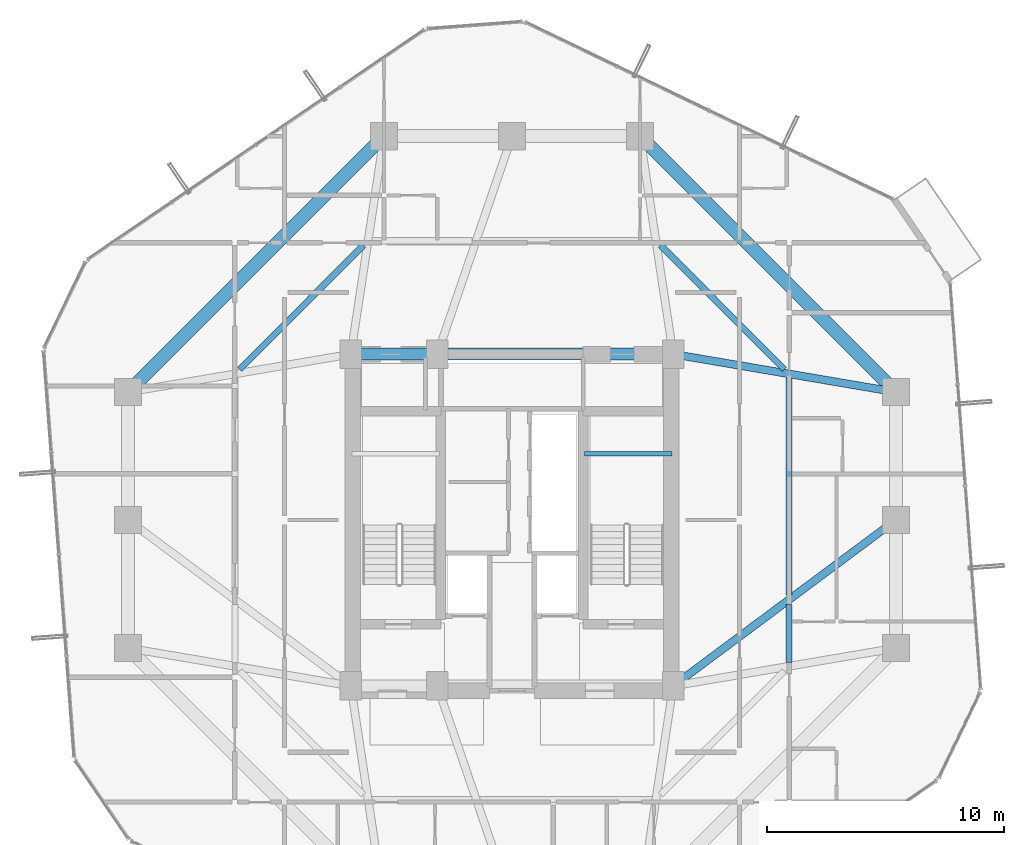
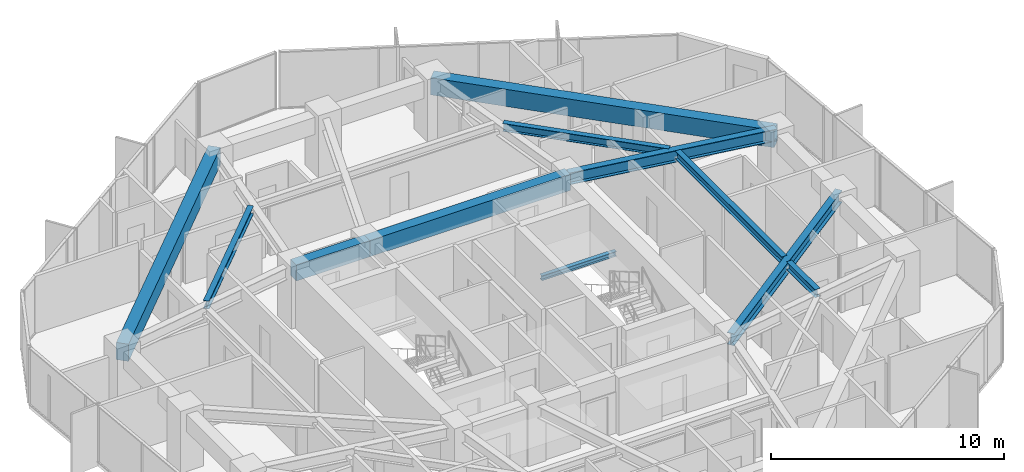
# One storey, part 15 of 35: 11 beams.
"""IFC4 building model written with IfcOpenShell, lengths in metres."""

from ifc_helpers import new_model, si_unit, direction, frame, origin, origin_2d, place, context, subcontext, project, spatial, rectangle, i_section, extrude, material, material_profile, profile_set, type_object, element, save


model = new_model("IFC4")

# Units and contexts
model_context = context("Model", 3, precision=1e-05, world=origin(), true_north=direction((0.0, 1.0)))
body_context = subcontext(model_context, "Body", "Model", "MODEL_VIEW")
ifc_project = project(units=[si_unit("LENGTHUNIT", "METRE"), si_unit("AREAUNIT", "SQUARE_METRE"), si_unit("VOLUMEUNIT", "CUBIC_METRE"), si_unit("PLANEANGLEUNIT", "RADIAN"), si_unit("MASSUNIT", "GRAM", prefix="KILO")], contexts=[model_context])

# Site, building, storey
site_placement = place(None, origin())
site = spatial("IfcSite", under=ifc_project, at=site_placement, CompositionType="ELEMENT")
building_placement = place(site_placement, origin())
building = spatial("IfcBuilding", under=site, at=building_placement, Name="Veraguas Prism Commons", CompositionType="ELEMENT")
storey_placement = place(building_placement, frame((0.0, 0.0, 142.5)))
storey = spatial("IfcBuildingStorey", under=building, at=storey_placement, Name="L40", CompositionType="ELEMENT", Elevation=142.5)

# Beams
ifc_material_1 = material(Name="Concrete C50/60", Category="concrete")
ifc_material_profile_1 = material_profile(ifc_material_1, rectangle(XDim=0.5, YDim=0.85009765625, at=origin_2d()), Name="RC500X850")
ifc_profile_set_1 = profile_set([ifc_material_profile_1], Name="Concrete C50/60")
beam_type_1 = type_object("IfcBeamType", Name="Core Coupling Beam RC 500x850", PredefinedType="BEAM", material=ifc_profile_set_1)
beam_1_placement = place(storey_placement, frame((17.199951171875, 31.0, 2.574951171875), z_axis=(1.0, 0.0, 0.0), x_axis=(0.0, 1.0, 0.0)))
element("IfcBeam", 1, at=beam_1_placement, inside=storey, type_object=beam_type_1, Name="Core Coupling Beam L40-CRN1", PredefinedType="BEAM", context=body_context, shape_type="SweptSolid", body=[
    extrude(rectangle(XDim=0.5, YDim=0.85009765625, at=origin_2d()), origin(), (0.0, 0.0, 1.0), 3.650146484375),
])
beam_2_placement = place(storey_placement, frame((20.85009765625, 31.0, 2.574951171875), z_axis=(1.0, 0.0, 0.0), x_axis=(0.0, 1.0, 0.0)))
element("IfcBeam", 2, at=beam_2_placement, inside=storey, type_object=beam_type_1, Name="Core Coupling Beam L40-CRN2", PredefinedType="BEAM", context=body_context, shape_type="SweptSolid", body=[
    extrude(rectangle(XDim=0.5, YDim=0.85009765625, at=origin_2d()), origin(), (0.0, 0.0, 1.0), 9.949951171875),
])
ifc_material_2 = material(Name="Steel ASTM A992 Grade 50", Category="steel")
ifc_material_profile_2 = material_profile(ifc_material_2, i_section(OverallWidth=0.260986328125, OverallDepth=0.419921875, WebThickness=0.01171875, FlangeThickness=0.019287109375, at=origin_2d()), Name="W410X114")
ifc_profile_set_2 = profile_set([ifc_material_profile_2], Name="Steel ASTM A992 Grade 50")
beam_type_2 = type_object("IfcBeamType", Name="Lower Floor Joist W410x114", PredefinedType="JOIST", material=ifc_profile_set_2)
beam_3_placement = place(storey_placement, frame((35.68798828125, 17.996337890625, 2.7900390625), z_axis=(0.0, 1.0, 0.0), x_axis=(-1.0, 0.0, 0.0)))
element("IfcBeam", 3, at=beam_3_placement, inside=storey, type_object=beam_type_2, Name="Composite Floor Joist L40-JS01", PredefinedType="JOIST", context=body_context, shape_type="SweptSolid", body=[
    extrude(i_section(OverallWidth=0.260986328125, OverallDepth=0.419921875, WebThickness=0.01171875, FlangeThickness=0.019287109375, at=origin_2d()), origin(), (0.0, 0.0, 1.0), 2.441650390625),
])
beam_4_placement = place(storey_placement, frame((35.68798828125, 20.842041015625, 2.7900390625), z_axis=(0.0, 1.0, 0.0), x_axis=(-1.0, 0.0, 0.0)))
element("IfcBeam", 4, at=beam_4_placement, inside=storey, type_object=beam_type_2, Name="Composite Floor Joist L40-JS02", PredefinedType="JOIST", context=body_context, shape_type="SweptSolid", body=[
    extrude(i_section(OverallWidth=0.260986328125, OverallDepth=0.419921875, WebThickness=0.01171875, FlangeThickness=0.019287109375, at=origin_2d()), origin(), (0.0, 0.0, 1.0), 9.16162109375),
])
for number, where, z_axis, x_axis, name in (
    (5, (35.489990234375, 30.365966796875, 2.7900390625), (-0.707090260193, 0.707123301794, 0.0), (-0.707123301794, -0.707090260193, 0.0), "Composite Floor Joist L40-JS03"),
    (6, (17.734619140625, 35.5908203125, 2.7900390625), (-0.707090260193, -0.707123301794, 0.0), (0.707123301794, -0.707090260193, 0.0), "Composite Floor Joist L40-JS06"),
):
    element("IfcBeam", number, at=place(storey_placement, frame(where, z_axis=z_axis, x_axis=x_axis)), inside=storey, type_object=beam_type_2, Name=name, PredefinedType="JOIST", context=body_context, shape_type="SweptSolid", body=[
        extrude(i_section(OverallWidth=0.260986328125, OverallDepth=0.419921875, WebThickness=0.01171875, FlangeThickness=0.019287109375, at=origin_2d()), origin(), (0.0, 0.0, 1.0), 7.388916015625),
    ])
ifc_material_profile_3 = material_profile(ifc_material_1, rectangle(XDim=0.550048828125, YDim=0.89990234375, at=origin_2d()), Name="RC550X900")
ifc_profile_set_3 = profile_set([ifc_material_profile_3], Name="Concrete C50/60")
beam_type_3 = type_object("IfcBeamType", Name="Perimeter Spandrel Lower RC 550x900", PredefinedType="SPANDREL", material=ifc_profile_set_3)
for number, where, z_axis, x_axis, name in (
    (7, (40.199951171875, 29.39990234375, 2.550048828125), (-0.707106781187, 0.707106781187, 0.0), (-0.707106781187, -0.707106781187, 0.0), "Perimeter Spandrel Beam L40-SP03"),
    (8, (18.60009765625, 40.199951171875, 2.550048828125), (-0.707106781187, -0.707106781187, 0.0), (0.707106781187, -0.707106781187, 0.0), "Perimeter Spandrel Beam L40-SP06"),
):
    element("IfcBeam", number, at=place(storey_placement, frame(where, z_axis=z_axis, x_axis=x_axis)), inside=storey, type_object=beam_type_3, Name=name, PredefinedType="SPANDREL", context=body_context, shape_type="SweptSolid", body=[
        extrude(rectangle(XDim=0.550048828125, YDim=0.89990234375, at=origin_2d()), origin(), (0.0, 0.0, 1.0), 15.273681640625),
    ])
ifc_material_profile_4 = material_profile(ifc_material_2, i_section(OverallWidth=0.202880859375, OverallDepth=0.251953125, WebThickness=0.008056640625, FlangeThickness=0.013427734375, at=origin_2d()), Name="W250X58")
ifc_profile_set_4 = profile_set([ifc_material_profile_4], Name="Steel ASTM A992 Grade 50")
beam_type_4 = type_object("IfcBeamType", Name="Structural Opening Lintel W250x58", PredefinedType="LINTEL", material=ifc_profile_set_4)
beam_5_placement = place(storey_placement, frame((27.050048828125, 26.800048828125, 1.299072265625), z_axis=(1.0, 0.0, 0.0), x_axis=(0.0, 1.0, 0.0)))
element("IfcBeam", 9, at=beam_5_placement, inside=storey, type_object=beam_type_4, Name="Stair ST-02 Half-Landing Support Beam L40-1", PredefinedType="LINTEL", context=body_context, shape_type="SweptSolid", body=[
    extrude(i_section(OverallWidth=0.202880859375, OverallDepth=0.251953125, WebThickness=0.008056640625, FlangeThickness=0.013427734375, at=origin_2d()), origin(), (0.0, 0.0, 1.0), 3.699951171875),
])
ifc_material_profile_5 = material_profile(ifc_material_2, i_section(OverallWidth=0.327880859375, OverallDepth=0.6220703125, WebThickness=0.015380859375, FlangeThickness=0.0244140625, at=origin_2d()), Name="W610X195")
ifc_profile_set_5 = profile_set([ifc_material_profile_5], Name="Steel ASTM A992 Grade 50")
beam_type_5 = type_object("IfcBeamType", Name="Zone 2 Radial Girder W610x195", PredefinedType="BEAM", material=ifc_profile_set_5)
beam_6_placement = place(storey_placement, frame((40.199951171875, 24.0, 2.68896484375), z_axis=(-0.802040137921, -0.597270137512, 0.0), x_axis=(0.597270137512, -0.802040137921, 0.0)))
element("IfcBeam", 10, at=beam_6_placement, inside=storey, type_object=beam_type_5, Name="Radial Floor Girder L40-RD02", PredefinedType="BEAM", context=body_context, shape_type="SweptSolid", body=[
    extrude(i_section(OverallWidth=0.327880859375, OverallDepth=0.6220703125, WebThickness=0.015380859375, FlangeThickness=0.0244140625, at=origin_2d()), origin(), (0.0, 0.0, 1.0), 11.719970703125),
])
beam_7_placement = place(storey_placement, frame((40.199951171875, 29.39990234375, 2.68896484375), z_axis=(-0.985819187151, 0.1678109956, 0.0), x_axis=(-0.1678109956, -0.985819187151, 0.0)))
element("IfcBeam", 11, at=beam_7_placement, inside=storey, type_object=beam_type_5, Name="Radial Floor Girder L40-RD03", PredefinedType="BEAM", context=body_context, shape_type="SweptSolid", body=[
    extrude(i_section(OverallWidth=0.327880859375, OverallDepth=0.6220703125, WebThickness=0.015380859375, FlangeThickness=0.0244140625, at=origin_2d()), origin(), (0.0, 0.0, 1.0), 9.53515625),
])

save(model, "model.ifc")
